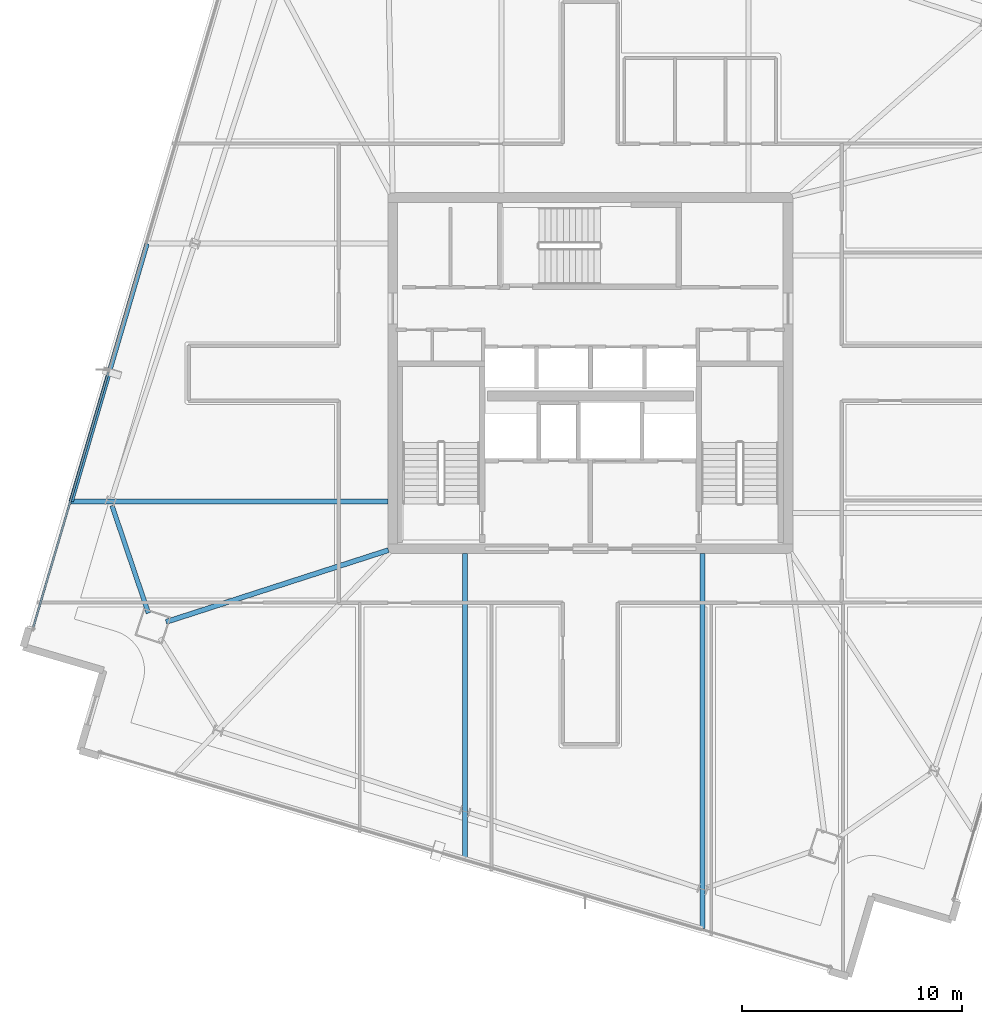
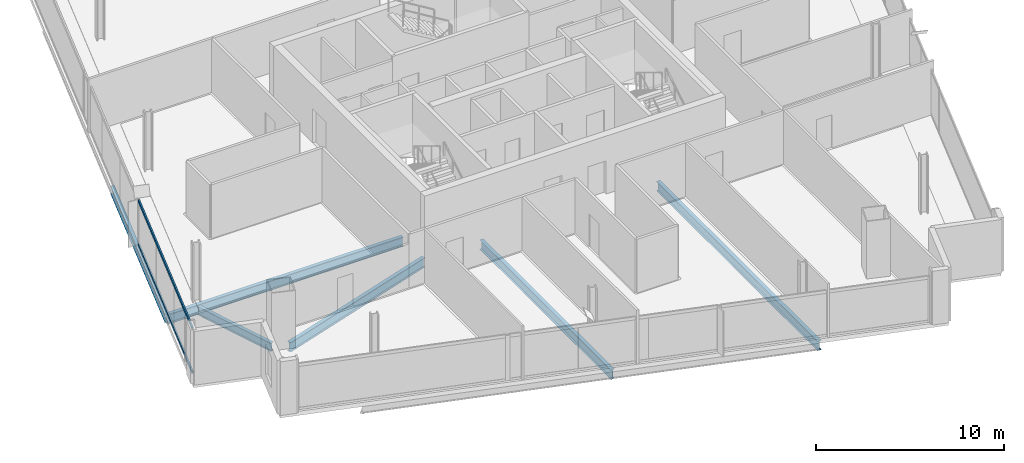
# One storey, part 5 of 26: 6 beams, 2 members, 1 element without a shape of its own.
"""IFC4 building model written with IfcOpenShell, lengths in metres."""

from ifc_helpers import new_model, si_unit, direction, frame, origin, origin_2d, place, context, subcontext, project, spatial, hollow_rectangle, i_section, extrude, material, material_profile, profile_set, type_object, element, aggregate, save


model = new_model("IFC4")

# Units and contexts
model_context = context("Model", 3, precision=1e-05, world=origin(), true_north=direction((0.0, 1.0)))
body_context = subcontext(model_context, "Body", "Model", "MODEL_VIEW")
ifc_project = project(units=[si_unit("LENGTHUNIT", "METRE"), si_unit("AREAUNIT", "SQUARE_METRE"), si_unit("VOLUMEUNIT", "CUBIC_METRE"), si_unit("PLANEANGLEUNIT", "RADIAN"), si_unit("MASSUNIT", "GRAM", prefix="KILO")], contexts=[model_context])

# Site, building, storey
site_placement = place(None, origin())
site = spatial("IfcSite", under=ifc_project, at=site_placement, CompositionType="ELEMENT")
building_placement = place(site_placement, origin())
building = spatial("IfcBuilding", under=site, at=building_placement, Name="Haldenkirk Collegiate Tower", CompositionType="ELEMENT")
storey_placement = place(building_placement, frame((0.0, 0.0, 274.949951171875)))
storey = spatial("IfcBuildingStorey", under=building, at=storey_placement, Name="L69", CompositionType="ELEMENT", Elevation=274.949951171875)

# Beams
ifc_material_1 = material(Name="Steel ASTM A992 Grade 50", Category="steel")
ifc_material_profile_1 = material_profile(ifc_material_1, i_section(OverallWidth=0.22998046875, OverallDepth=0.616943359375, WebThickness=0.01318359375, FlangeThickness=0.022216796875, at=origin_2d()), Name="W24X94")
ifc_profile_set_1 = profile_set([ifc_material_profile_1], Name="Steel ASTM A992 Grade 50")
beam_type_1 = type_object("IfcBeamType", Name="BM-GIRDER-W24X94", PredefinedType="BEAM", material=ifc_profile_set_1)
beam_1_placement = place(storey_placement, frame((16.677001953125, 14.66796875, -0.578369140625), z_axis=(0.95165454957, 0.307170340824, 0.0), x_axis=(-0.307170340824, 0.95165454957, 0.0)))
element("IfcBeam", 1, at=beam_1_placement, inside=storey, type_object=beam_type_1, Name="L69 primary floor girder 04", PredefinedType="BEAM", context=body_context, shape_type="SweptSolid", body=[
    extrude(i_section(OverallWidth=0.22998046875, OverallDepth=0.616943359375, WebThickness=0.01318359375, FlangeThickness=0.022216796875, at=origin_2d()), origin(), (0.0, 0.0, 1.0), 10.642333984375),
])
beam_2_placement = place(storey_placement, frame((12.358642578125, 20.157958984375, -0.578369140625), z_axis=(1.0, 0.0, 0.0), x_axis=(0.0, 1.0, 0.0)))
element("IfcBeam", 2, at=beam_2_placement, inside=storey, type_object=beam_type_1, Name="L69 primary floor girder 13", PredefinedType="BEAM", context=body_context, shape_type="SweptSolid", body=[
    extrude(i_section(OverallWidth=0.22998046875, OverallDepth=0.616943359375, WebThickness=0.01318359375, FlangeThickness=0.022216796875, at=origin_2d()), origin(), (0.0, 0.0, 1.0), 14.436279296875),
])
beam_3_placement = place(storey_placement, frame((30.283203125, 3.884521484375, -0.578369140625), z_axis=(0.0, 1.0, 0.0), x_axis=(-1.0, 0.0, 0.0)))
element("IfcBeam", 3, at=beam_3_placement, inside=storey, type_object=beam_type_1, Name="L69 primary floor girder 15", PredefinedType="BEAM", context=body_context, shape_type="SweptSolid", body=[
    extrude(i_section(OverallWidth=0.22998046875, OverallDepth=0.616943359375, WebThickness=0.01318359375, FlangeThickness=0.022216796875, at=origin_2d()), origin(), (0.0, 0.0, 1.0), 13.910400390625),
])
beam_4_placement = place(storey_placement, frame((41.111083984375, 0.697509765625, -0.578369140625), z_axis=(0.0, 1.0, 0.0), x_axis=(-1.0, 0.0, 0.0)))
element("IfcBeam", 4, at=beam_4_placement, inside=storey, type_object=beam_type_1, Name="L69 primary floor girder 16", PredefinedType="BEAM", context=body_context, shape_type="SweptSolid", body=[
    extrude(i_section(OverallWidth=0.22998046875, OverallDepth=0.616943359375, WebThickness=0.01318359375, FlangeThickness=0.022216796875, at=origin_2d()), origin(), (0.0, 0.0, 1.0), 17.097412109375),
])
ifc_material_profile_2 = material_profile(ifc_material_1, i_section(OverallWidth=0.2099609375, OverallDepth=0.537109375, WebThickness=0.010986328125, FlangeThickness=0.017333984375, at=origin_2d()), Name="W21X68")
ifc_profile_set_2 = profile_set([ifc_material_profile_2], Name="Steel ASTM A992 Grade 50")
beam_type_2 = type_object("IfcBeamType", Name="BM-SPANDREL-W21X68", PredefinedType="SPANDREL", material=ifc_profile_set_2)
beam_5_placement = place(storey_placement, frame((14.214599609375, 19.96630859375, -0.538330078125), z_axis=(0.321210878439, -0.947007693513, 0.0), x_axis=(0.947007693513, 0.321210878439, 0.0)))
element("IfcBeam", 5, at=beam_5_placement, inside=storey, type_object=beam_type_2, Name="L69 perimeter spandrel beam 12", PredefinedType="SPANDREL", context=body_context, shape_type="SweptSolid", body=[
    extrude(i_section(OverallWidth=0.2099609375, OverallDepth=0.537109375, WebThickness=0.010986328125, FlangeThickness=0.017333984375, at=origin_2d()), origin(), (0.0, 0.0, 1.0), 5.169189453125),
])
beam_6_placement = place(storey_placement, frame((15.812744140625, 31.8935546875, -0.538330078125), z_axis=(-0.282351079538, -0.959311142374, 0.0), x_axis=(0.959311142374, -0.282351079538, 0.0)))
element("IfcBeam", 6, at=beam_6_placement, inside=storey, type_object=beam_type_2, Name="L69 outer facade edge beam 3B", PredefinedType="SPANDREL", context=body_context, shape_type="SweptSolid", body=[
    extrude(i_section(OverallWidth=0.2099609375, OverallDepth=0.537109375, WebThickness=0.010986328125, FlangeThickness=0.017333984375, at=origin_2d()), origin(), (0.0, 0.0, 1.0), 12.2333984375),
])

# Curtain wall, members
ifc_material_2 = material(Name="Anodised architectural bronze aluminium", Category="aluminium")
curtain_wall_type = type_object("IfcCurtainWallType", Name="CW-SYS1B-CONVEX-HI", PredefinedType="USERDEFINED", material=ifc_material_2)
curtain_wall_placement = place(storey_placement, origin())
curtain_wall = element("IfcCurtainWall", 7, at=curtain_wall_placement, inside=storey, type_object=curtain_wall_type, Name="L69 Upper tower high-wind convex bronze unitised curtain wall", ObjectType="UNITISED CURTAIN WALL", PredefinedType="USERDEFINED")
ifc_material_profile_3 = material_profile(ifc_material_2, hollow_rectangle(XDim=0.0849609375, YDim=0.199951171875, WallThickness=0.0048828125, at=origin_2d()), Name="CW-TRN-1B")
ifc_profile_set_3 = profile_set([ifc_material_profile_3], Name="Anodised architectural bronze aluminium")
member_type = type_object("IfcMemberType", Name="CW-TRN-1B", PredefinedType="USERDEFINED", material=ifc_profile_set_3)
member_1_placement = place(storey_placement, frame((10.63037109375, 14.42724609375, 0.04248046875), z_axis=(0.282346478678, 0.959312496519, 0.0), x_axis=(-0.959312496519, 0.282346478678, 0.0)))
member_1 = element("IfcMember", 8, at=member_1_placement, type_object=member_type, Name="CW-1B transom 1.1", ObjectType="TRANSOM", PredefinedType="USERDEFINED", context=body_context, shape_type="SweptSolid", body=[
    extrude(hollow_rectangle(XDim=0.0849609375, YDim=0.199951171875, WallThickness=0.0048828125, at=origin_2d()), origin(), (0.0, 0.0, 1.0), 12.10546875),
])
member_2_placement = place(storey_placement, frame((10.63037109375, 14.42724609375, 2.8955078125), z_axis=(0.282346478678, 0.959312496519, 0.0), x_axis=(-0.959312496519, 0.282346478678, 0.0)))
member_2 = element("IfcMember", 9, at=member_2_placement, type_object=member_type, Name="CW-1B transom 1.2", ObjectType="TRANSOM", PredefinedType="USERDEFINED", context=body_context, shape_type="SweptSolid", body=[
    extrude(hollow_rectangle(XDim=0.0849609375, YDim=0.199951171875, WallThickness=0.0048828125, at=origin_2d()), origin(), (0.0, 0.0, 1.0), 12.10546875),
])
aggregate(curtain_wall, [member_1, member_2])

save(model, "model.ifc")
